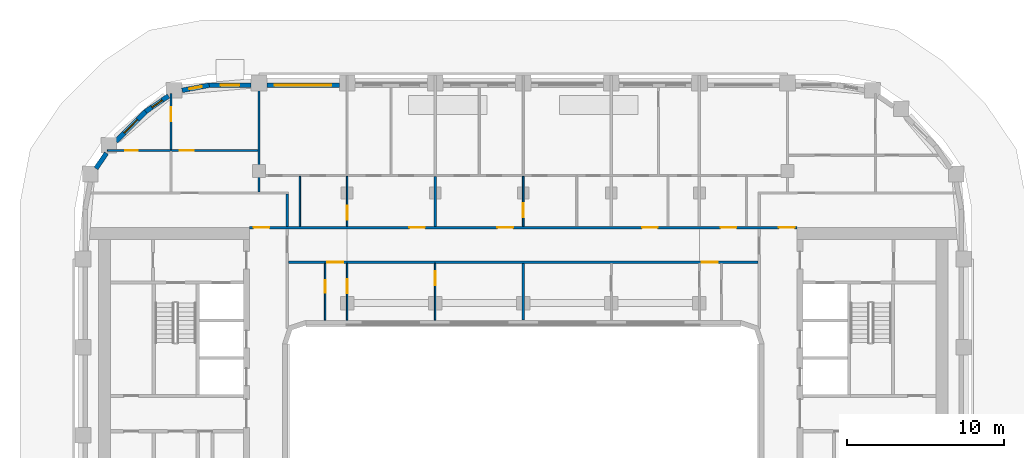
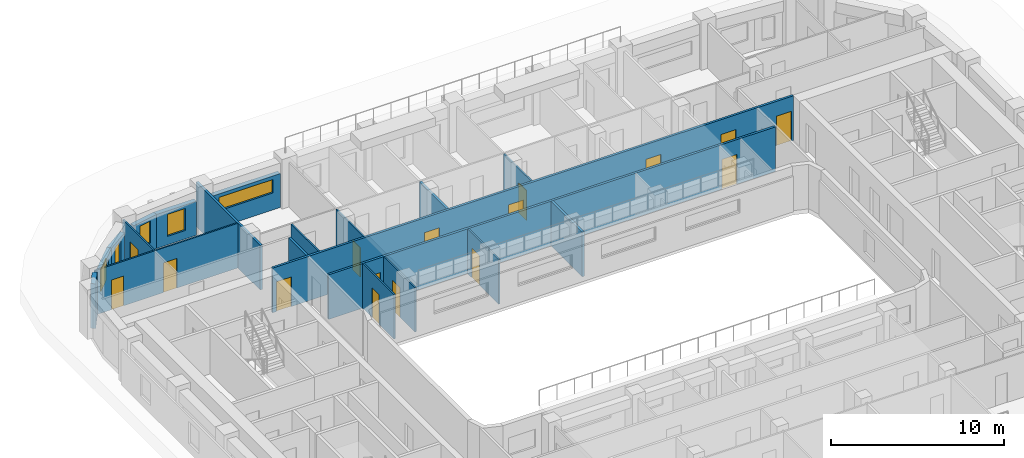
# One storey, part 7 of 17: 20 walls, 16 doors, 5 windows, 21 openings.
"""IFC4 building model written with IfcOpenShell, lengths in metres."""

from ifc_helpers import new_model, si_unit, direction, frame, frame_2d, origin, place, context, subcontext, project, spatial, rectangle, extrude, material, layer, layer_set, type_object, element, fill, save


model = new_model("IFC4")

# Units and contexts
model_context = context("Model", 3, precision=1e-05, world=origin(), true_north=direction((0.0, 1.0)))
body_context = subcontext(model_context, "Body", "Model", "MODEL_VIEW")
ifc_project = project(units=[si_unit("LENGTHUNIT", "METRE"), si_unit("AREAUNIT", "SQUARE_METRE"), si_unit("VOLUMEUNIT", "CUBIC_METRE"), si_unit("PLANEANGLEUNIT", "RADIAN"), si_unit("MASSUNIT", "GRAM", prefix="KILO")], contexts=[model_context])

# Site, building, storey
site_placement = place(None, origin())
site = spatial("IfcSite", under=ifc_project, at=site_placement, CompositionType="ELEMENT")
building_placement = place(site_placement, origin())
building = spatial("IfcBuilding", under=site, at=building_placement, Name="Kiln Ring Residences", CompositionType="ELEMENT")
storey_placement = place(building_placement, frame((0.0, 0.0, 174.60009765625)))
storey = spatial("IfcBuildingStorey", under=building, at=storey_placement, Name="L45", CompositionType="ELEMENT", Elevation=174.60009765625)

# Wall, opening, window
ifc_material_1 = material(Name="Brick masonry, dark clay brick", Category="masonry")
ifc_layer_1 = layer(ifc_material_1, 0.300048828125)
ifc_layer_set_1 = layer_set([ifc_layer_1], Name="EW-300 BRICK WALL")
wall_type_1 = type_object("IfcWallType", Name="EW-300 BRICK WALL", PredefinedType="SOLIDWALL", material=ifc_layer_set_1)
wall_1_placement = place(storey_placement, frame((-11.699951171875, 22.25, 0.0), z_axis=(0.0, 0.0, 1.0), x_axis=(-1.0, 0.0, 0.0)))
wall_1 = element("IfcWall", 1, at=wall_1_placement, inside=storey, type_object=wall_type_1, Name="Facade wall L45 34", PredefinedType="SOLIDWALL", context=body_context, shape_type="SweptSolid", body=[
    extrude(rectangle(XDim=4.60009765625, YDim=0.300048828125, at=frame_2d((2.300048828125, 0.0))), origin(), (0.0, 0.0, 1.0), 2.39990234375),
])
opening_1_placement = place(wall_1_placement, frame((0.5, 0.0, 1.199951171875)))
opening_1 = element("IfcOpeningElement", 2, at=opening_1_placement, cuts=wall_1, Name="Opening W4", PredefinedType="OPENING", context=body_context, shape_type="SweptSolid", body=[
    extrude(rectangle(XDim=3.60009765625, YDim=0.949951171875, at=frame_2d((1.800048828125, 0.47509765625))), frame((0.0, 0.159912109375, 0.0), z_axis=(0.0, -1.0, 0.0), x_axis=(1.0, 0.0, 0.0)), (0.0, 0.0, 1.0), 0.320068359375),
])
ifc_material_2 = material(Name="Aluminium frame with double glazing", Category="aluminium")
window_type_1 = type_object("IfcWindowType", Name="WINDOW 3600 x 950", PartitioningType="SINGLE_PANEL", PredefinedType="WINDOW", material=ifc_material_2)
window_1_placement = place(opening_1_placement, origin())
window_1 = element("IfcWindow", 3, at=window_1_placement, inside=storey, type_object=window_type_1, Name="Window L45 25", OverallHeight=0.949951171875, OverallWidth=3.60009765625, PartitioningType="SINGLE_PANEL", PredefinedType="WINDOW", context=body_context, shape_type="SweptSolid", body=[
    extrude(rectangle(XDim=3.60009765625, YDim=0.949951171875, at=frame_2d((1.800048828125, 0.47509765625))), frame((0.0, 0.030029296875, 0.0), z_axis=(0.0, -1.0, 0.0), x_axis=(1.0, 0.0, 0.0)), (0.0, 0.0, 1.0), 0.06005859375),
])
fill(opening_1, window_1)

wall_2_placement = place(storey_placement, frame((-17.300048828125, 22.25, 0.0), z_axis=(0.0, 0.0, 1.0), x_axis=(-1.0, 0.0, 0.0)))
wall_2 = element("IfcWall", 4, at=wall_2_placement, inside=storey, type_object=wall_type_1, Name="Facade wall L45 35", PredefinedType="SOLIDWALL", context=body_context, shape_type="SweptSolid", body=[
    extrude(rectangle(XDim=2.699951171875, YDim=0.300048828125, at=frame_2d((1.35009765625, 0.0))), origin(), (0.0, 0.0, 1.0), 2.39990234375),
])
opening_2_placement = place(wall_2_placement, frame((0.75, 0.0, 0.60009765625)))
opening_2 = element("IfcOpeningElement", 5, at=opening_2_placement, cuts=wall_2, Name="Opening W1", PredefinedType="OPENING", context=body_context, shape_type="SweptSolid", body=[
    extrude(rectangle(XDim=1.199951171875, YDim=1.550048828125, at=frame_2d((0.60009765625, 0.77490234375))), frame((0.0, 0.159912109375, 0.0), z_axis=(0.0, -1.0, 0.0), x_axis=(1.0, 0.0, 0.0)), (0.0, 0.0, 1.0), 0.320068359375),
])
ifc_material_3 = material(Name="Aluminium frame with double glazing", Category="aluminium")
window_type_2 = type_object("IfcWindowType", Name="WINDOW 1200 x 1550", PartitioningType="SINGLE_PANEL", PredefinedType="WINDOW", material=ifc_material_3)
window_2_placement = place(opening_2_placement, origin())
window_2 = element("IfcWindow", 6, at=window_2_placement, inside=storey, type_object=window_type_2, Name="Window L45 26", OverallHeight=1.550048828125, OverallWidth=1.199951171875, PartitioningType="SINGLE_PANEL", PredefinedType="WINDOW", context=body_context, shape_type="SweptSolid", body=[
    extrude(rectangle(XDim=1.199951171875, YDim=1.550048828125, at=frame_2d((0.60009765625, 0.77490234375))), frame((0.0, 0.030029296875, 0.0), z_axis=(0.0, -1.0, 0.0), x_axis=(1.0, 0.0, 0.0)), (0.0, 0.0, 1.0), 0.06005859375),
])
fill(opening_2, window_2)

wall_3_placement = place(storey_placement, frame((-19.971923828125, 22.252685546875, 0.0), z_axis=(0.0, 0.0, 1.0), x_axis=(-0.982284988433, -0.187393173565, 0.0)))
wall_3 = element("IfcWall", 7, at=wall_3_placement, inside=storey, type_object=wall_type_1, Name="Facade wall L45 36", PredefinedType="SOLIDWALL", context=body_context, shape_type="SweptSolid", body=[
    extrude(rectangle(XDim=1.756103515625, YDim=0.300048828125, at=frame_2d((0.8779296875, 0.0))), origin(), (0.0, 0.0, 1.0), 2.39990234375),
])
opening_3_placement = place(wall_3_placement, frame((0.47802734375, 0.0, 0.60009765625)))
opening_3 = element("IfcOpeningElement", 8, at=opening_3_placement, cuts=wall_3, Name="Opening W5", PredefinedType="OPENING", context=body_context, shape_type="SweptSolid", body=[
    extrude(rectangle(XDim=0.800048828125, YDim=1.550048828125, at=frame_2d((0.39990234375, 0.77490234375))), frame((0.0, 0.159912109375, 0.0), z_axis=(0.0, -1.0, 0.0), x_axis=(1.0, 0.0, 0.0)), (0.0, 0.0, 1.0), 0.320068359375),
])
ifc_material_4 = material(Name="Aluminium frame with double glazing", Category="aluminium")
window_type_3 = type_object("IfcWindowType", Name="WINDOW 800 x 1550", PartitioningType="SINGLE_PANEL", PredefinedType="WINDOW", material=ifc_material_4)
window_3_placement = place(opening_3_placement, origin())
window_3 = element("IfcWindow", 9, at=window_3_placement, inside=storey, type_object=window_type_3, Name="Window L45 27", OverallHeight=1.550048828125, OverallWidth=0.800048828125, PartitioningType="SINGLE_PANEL", PredefinedType="WINDOW", context=body_context, shape_type="SweptSolid", body=[
    extrude(rectangle(XDim=0.800048828125, YDim=1.550048828125, at=frame_2d((0.39990234375, 0.77490234375))), frame((0.0, 0.030029296875, 0.0), z_axis=(0.0, -1.0, 0.0), x_axis=(1.0, 0.0, 0.0)), (0.0, 0.0, 1.0), 0.06005859375),
])
fill(opening_3, window_3)

wall_4_placement = place(storey_placement, frame((-22.560302734375, 21.56591796875, 0.0), z_axis=(0.0, 0.0, 1.0), x_axis=(-0.82707645233, -0.562089443061, 0.0)))
wall_4 = element("IfcWall", 10, at=wall_4_placement, inside=storey, type_object=wall_type_1, Name="Facade wall L45 37", PredefinedType="SOLIDWALL", context=body_context, shape_type="SweptSolid", body=[
    extrude(rectangle(XDim=1.756103515625, YDim=0.300048828125, at=frame_2d((0.8779296875, 0.0))), origin(), (0.0, 0.0, 1.0), 2.39990234375),
])
opening_4_placement = place(wall_4_placement, frame((0.47802734375, 0.0, 0.60009765625)))
opening_4 = element("IfcOpeningElement", 11, at=opening_4_placement, cuts=wall_4, Name="Opening W5", PredefinedType="OPENING", context=body_context, shape_type="SweptSolid", body=[
    extrude(rectangle(XDim=0.800048828125, YDim=1.550048828125, at=frame_2d((0.39990234375, 0.77490234375))), frame((0.0, 0.159912109375, 0.0), z_axis=(0.0, -1.0, 0.0), x_axis=(1.0, 0.0, 0.0)), (0.0, 0.0, 1.0), 0.320068359375),
])
window_4_placement = place(opening_4_placement, origin())
window_4 = element("IfcWindow", 12, at=window_4_placement, inside=storey, type_object=window_type_3, Name="Window L45 28", OverallHeight=1.550048828125, OverallWidth=0.800048828125, PartitioningType="SINGLE_PANEL", PredefinedType="WINDOW", context=body_context, shape_type="SweptSolid", body=[
    extrude(rectangle(XDim=0.800048828125, YDim=1.550048828125, at=frame_2d((0.39990234375, 0.77490234375))), frame((0.0, 0.030029296875, 0.0), z_axis=(0.0, -1.0, 0.0), x_axis=(1.0, 0.0, 0.0)), (0.0, 0.0, 1.0), 0.06005859375),
])
fill(opening_4, window_4)

wall_5_placement = place(storey_placement, frame((-23.990966796875, 20.596923828125, 0.0), z_axis=(0.0, 0.0, 1.0), x_axis=(-0.707106781187, -0.707106781187, 0.0)))
wall_5 = element("IfcWall", 13, at=wall_5_placement, inside=storey, type_object=wall_type_1, Name="Facade wall L45 38", PredefinedType="SOLIDWALL", context=body_context, shape_type="SweptSolid", body=[
    extrude(rectangle(XDim=2.699951171875, YDim=0.300048828125, at=frame_2d((1.35009765625, 0.0))), origin(), (0.0, 0.0, 1.0), 2.39990234375),
])
opening_5_placement = place(wall_5_placement, frame((0.75, 0.0, 0.60009765625)))
opening_5 = element("IfcOpeningElement", 14, at=opening_5_placement, cuts=wall_5, Name="Opening W1", PredefinedType="OPENING", context=body_context, shape_type="SweptSolid", body=[
    extrude(rectangle(XDim=1.199951171875, YDim=1.550048828125, at=frame_2d((0.60009765625, 0.77490234375))), frame((0.0, 0.159912109375, 0.0), z_axis=(0.0, -1.0, 0.0), x_axis=(1.0, 0.0, 0.0)), (0.0, 0.0, 1.0), 0.320068359375),
])
window_5_placement = place(opening_5_placement, origin())
window_5 = element("IfcWindow", 15, at=window_5_placement, inside=storey, type_object=window_type_2, Name="Window L45 29", OverallHeight=1.550048828125, OverallWidth=1.199951171875, PartitioningType="SINGLE_PANEL", PredefinedType="WINDOW", context=body_context, shape_type="SweptSolid", body=[
    extrude(rectangle(XDim=1.199951171875, YDim=1.550048828125, at=frame_2d((0.60009765625, 0.77490234375))), frame((0.0, 0.030029296875, 0.0), z_axis=(0.0, -1.0, 0.0), x_axis=(1.0, 0.0, 0.0)), (0.0, 0.0, 1.0), 0.06005859375),
])
fill(opening_5, window_5)

# Wall
wall_6_placement = place(storey_placement, frame((-26.50439453125, 17.933837890625, 0.0), z_axis=(0.0, 0.0, 1.0), x_axis=(-0.562145470373, -0.827038372833, 0.0)))
element("IfcWall", 16, at=wall_6_placement, inside=storey, type_object=wall_type_1, Name="Facade wall L45 39", PredefinedType="SOLIDWALL", context=body_context, shape_type="SweptSolid", body=[
    extrude(rectangle(XDim=1.177001953125, YDim=0.300048828125, at=frame_2d((0.58837890625, 0.0))), origin(), (0.0, 0.0, 1.0), 3.14990234375),
])

# Wall, openings, doors
ifc_material_5 = material(Name="Gypsum board on steel studs", Category="steel")
ifc_layer_2 = layer(ifc_material_5, 0.10009765625)
ifc_layer_set_2 = layer_set([ifc_layer_2], Name="PARTITION-100")
wall_type_2 = type_object("IfcWallType", Name="PARTITION-100", PredefinedType="PARTITIONING", material=ifc_layer_set_2)
wall_7_placement = place(storey_placement, frame((-26.43994140625, 18.10009765625, 0.0), z_axis=(0.0, 0.0, 1.0), x_axis=(1.0, 0.0, 0.0)))
wall_7 = element("IfcWall", 17, at=wall_7_placement, inside=storey, type_object=wall_type_2, Name="Partition 013", PredefinedType="PARTITIONING", context=body_context, shape_type="SweptSolid", body=[
    extrude(rectangle(XDim=9.56494140625, YDim=0.10009765625, at=frame_2d((4.782470703125, 0.0))), origin(), (0.0, 0.0, 1.0), 3.14990234375),
])
opening_6_placement = place(wall_7_placement, frame((1.1259765625, 0.0, 0.0)))
opening_6 = element("IfcOpeningElement", 18, at=opening_6_placement, cuts=wall_7, Name="Opening L45-D041", PredefinedType="OPENING", context=body_context, shape_type="SweptSolid", body=[
    extrude(rectangle(XDim=0.800048828125, YDim=2.10009765625, at=frame_2d((0.39990234375, 1.050048828125))), frame((0.0, 0.06005859375, 0.0), z_axis=(0.0, -1.0, 0.0), x_axis=(1.0, 0.0, 0.0)), (0.0, 0.0, 1.0), 0.1201171875),
])
opening_7_placement = place(wall_7_placement, frame((4.590087890625, 0.0, 0.0)))
opening_7 = element("IfcOpeningElement", 19, at=opening_7_placement, cuts=wall_7, Name="Opening L45-D042", PredefinedType="OPENING", context=body_context, shape_type="SweptSolid", body=[
    extrude(rectangle(XDim=0.89990234375, YDim=2.10009765625, at=frame_2d((0.449951171875, 1.050048828125))), frame((0.0, 0.06005859375, 0.0), z_axis=(0.0, -1.0, 0.0), x_axis=(1.0, 0.0, 0.0)), (0.0, 0.0, 1.0), 0.1201171875),
])
ifc_material_6 = material(Name="Timber door leaf", Category="wood")
door_type_1 = type_object("IfcDoorType", Name="FLAT-DOOR-800-PL", OperationType="SINGLE_SWING_LEFT", PredefinedType="DOOR", material=ifc_material_6)
door_1_placement = place(opening_6_placement, origin())
door_1 = element("IfcDoor", 20, at=door_1_placement, inside=storey, type_object=door_type_1, Name="Door L45-D041", OperationType="SINGLE_SWING_LEFT", OverallHeight=2.10009765625, OverallWidth=0.800048828125, PredefinedType="DOOR", context=body_context, shape_type="SweptSolid", body=[
    extrude(rectangle(XDim=0.800048828125, YDim=2.10009765625, at=frame_2d((0.39990234375, 1.050048828125))), frame((0.0, 0.02490234375, 0.0), z_axis=(0.0, -1.0, 0.0), x_axis=(1.0, 0.0, 0.0)), (0.0, 0.0, 1.0), 0.050048828125),
])
fill(opening_6, door_1)
ifc_material_7 = material(Name="Timber door leaf", Category="wood")
door_type_2 = type_object("IfcDoorType", Name="FLAT-DOOR-900-PL", OperationType="SINGLE_SWING_LEFT", PredefinedType="DOOR", material=ifc_material_7)
door_2_placement = place(opening_7_placement, origin())
door_2 = element("IfcDoor", 21, at=door_2_placement, inside=storey, type_object=door_type_2, Name="Door L45-D042", OperationType="SINGLE_SWING_RIGHT", OverallHeight=2.10009765625, OverallWidth=0.89990234375, PredefinedType="DOOR", context=body_context, shape_type="SweptSolid", body=[
    extrude(rectangle(XDim=0.89990234375, YDim=2.10009765625, at=frame_2d((0.449951171875, 1.050048828125))), frame((0.0, 0.02490234375, 0.0), z_axis=(0.0, -1.0, 0.0), x_axis=(1.0, 0.0, 0.0)), (0.0, 0.0, 1.0), 0.050048828125),
])
fill(opening_7, door_2)

# Wall, opening, door
wall_8_placement = place(storey_placement, frame((-22.39990234375, 18.14990234375, 0.0), z_axis=(0.0, 0.0, 1.0), x_axis=(0.0, 1.0, 0.0)))
wall_8 = element("IfcWall", 22, at=wall_8_placement, inside=storey, type_object=wall_type_2, Name="Partition 017", PredefinedType="PARTITIONING", context=body_context, shape_type="SweptSolid", body=[
    extrude(rectangle(XDim=3.570068359375, YDim=0.10009765625, at=frame_2d((1.78515625, 0.0))), origin(), (0.0, 0.0, 1.0), 3.14990234375),
])
opening_8_placement = place(wall_8_placement, frame((1.798095703125, 0.0, 0.0)))
opening_8 = element("IfcOpeningElement", 23, at=opening_8_placement, cuts=wall_8, Name="Opening L45-D043", PredefinedType="OPENING", context=body_context, shape_type="SweptSolid", body=[
    extrude(rectangle(XDim=0.89990234375, YDim=2.10009765625, at=frame_2d((0.449951171875, 1.050048828125))), frame((0.0, 0.06005859375, 0.0), z_axis=(0.0, -1.0, 0.0), x_axis=(1.0, 0.0, 0.0)), (0.0, 0.0, 1.0), 0.1201171875),
])
door_3_placement = place(opening_8_placement, origin())
door_3 = element("IfcDoor", 24, at=door_3_placement, inside=storey, type_object=door_type_2, Name="Door L45-D043", OperationType="SINGLE_SWING_LEFT", OverallHeight=2.10009765625, OverallWidth=0.89990234375, PredefinedType="DOOR", context=body_context, shape_type="SweptSolid", body=[
    extrude(rectangle(XDim=0.89990234375, YDim=2.10009765625, at=frame_2d((0.449951171875, 1.050048828125))), frame((0.0, 0.02490234375, 0.0), z_axis=(0.0, -1.0, 0.0), x_axis=(1.0, 0.0, 0.0)), (0.0, 0.0, 1.0), 0.050048828125),
])
fill(opening_8, door_3)

# Wall
wall_9_placement = place(storey_placement, frame((-14.199951171875, 13.27490234375, 0.0), z_axis=(0.0, 0.0, 1.0), x_axis=(0.0, 1.0, 0.0)))
element("IfcWall", 25, at=wall_9_placement, inside=storey, type_object=wall_type_2, Name="Partition 024", PredefinedType="PARTITIONING", context=body_context, shape_type="SweptSolid", body=[
    extrude(rectangle(XDim=3.175048828125, YDim=0.10009765625, at=frame_2d((1.58740234375, 0.0))), origin(), (0.0, 0.0, 1.0), 3.14990234375),
])

# Wall, opening, door
wall_10_placement = place(storey_placement, frame((-12.60009765625, 7.320068359375, 0.0), z_axis=(0.0, 0.0, 1.0), x_axis=(0.0, 1.0, 0.0)))
wall_10 = element("IfcWall", 26, at=wall_10_placement, inside=storey, type_object=wall_type_2, Name="Partition 025", PredefinedType="PARTITIONING", context=body_context, shape_type="SweptSolid", body=[
    extrude(rectangle(XDim=3.60498046875, YDim=0.10009765625, at=frame_2d((1.802490234375, 0.0))), origin(), (0.0, 0.0, 1.0), 3.14990234375),
])
opening_9_placement = place(wall_10_placement, frame((1.72900390625, 0.0, 0.0)))
opening_9 = element("IfcOpeningElement", 27, at=opening_9_placement, cuts=wall_10, Name="Opening L45-D010", PredefinedType="OPENING", context=body_context, shape_type="SweptSolid", body=[
    extrude(rectangle(XDim=0.800048828125, YDim=2.10009765625, at=frame_2d((0.39990234375, 1.050048828125))), frame((0.0, 0.06005859375, 0.0), z_axis=(0.0, -1.0, 0.0), x_axis=(1.0, 0.0, 0.0)), (0.0, 0.0, 1.0), 0.1201171875),
])
door_4_placement = place(opening_9_placement, origin())
door_4 = element("IfcDoor", 28, at=door_4_placement, inside=storey, type_object=door_type_1, Name="Door L45-D010", OperationType="SINGLE_SWING_LEFT", OverallHeight=2.10009765625, OverallWidth=0.800048828125, PredefinedType="DOOR", context=body_context, shape_type="SweptSolid", body=[
    extrude(rectangle(XDim=0.800048828125, YDim=2.10009765625, at=frame_2d((0.39990234375, 1.050048828125))), frame((0.0, 0.02490234375, 0.0), z_axis=(0.0, -1.0, 0.0), x_axis=(1.0, 0.0, 0.0)), (0.0, 0.0, 1.0), 0.050048828125),
])
fill(opening_9, door_4)

wall_11_placement = place(storey_placement, frame((-11.199951171875, 7.320068359375, 0.0), z_axis=(0.0, 0.0, 1.0), x_axis=(0.0, 1.0, 0.0)))
wall_11 = element("IfcWall", 29, at=wall_11_placement, inside=storey, type_object=wall_type_2, Name="Partition 029", PredefinedType="PARTITIONING", context=body_context, shape_type="SweptSolid", body=[
    extrude(rectangle(XDim=3.60498046875, YDim=0.10009765625, at=frame_2d((1.802490234375, 0.0))), origin(), (0.0, 0.0, 1.0), 3.14990234375),
])
opening_10_placement = place(wall_11_placement, frame((1.699951171875, 0.0, 0.0)))
opening_10 = element("IfcOpeningElement", 30, at=opening_10_placement, cuts=wall_11, Name="Opening L45-D011", PredefinedType="OPENING", context=body_context, shape_type="SweptSolid", body=[
    extrude(rectangle(XDim=0.89990234375, YDim=2.10009765625, at=frame_2d((0.449951171875, 1.050048828125))), frame((0.0, 0.06005859375, 0.0), z_axis=(0.0, -1.0, 0.0), x_axis=(1.0, 0.0, 0.0)), (0.0, 0.0, 1.0), 0.1201171875),
])
door_5_placement = place(opening_10_placement, origin())
door_5 = element("IfcDoor", 31, at=door_5_placement, inside=storey, type_object=door_type_2, Name="Door L45-D011", OperationType="SINGLE_SWING_RIGHT", OverallHeight=2.10009765625, OverallWidth=0.89990234375, PredefinedType="DOOR", context=body_context, shape_type="SweptSolid", body=[
    extrude(rectangle(XDim=0.89990234375, YDim=2.10009765625, at=frame_2d((0.449951171875, 1.050048828125))), frame((0.0, 0.02490234375, 0.0), z_axis=(0.0, -1.0, 0.0), x_axis=(1.0, 0.0, 0.0)), (0.0, 0.0, 1.0), 0.050048828125),
])
fill(opening_10, door_5)

wall_12_placement = place(storey_placement, frame((-11.199951171875, 13.27490234375, 0.0), z_axis=(0.0, 0.0, 1.0), x_axis=(0.0, 1.0, 0.0)))
wall_12 = element("IfcWall", 32, at=wall_12_placement, inside=storey, type_object=wall_type_2, Name="Partition 030", PredefinedType="PARTITIONING", context=body_context, shape_type="SweptSolid", body=[
    extrude(rectangle(XDim=3.175048828125, YDim=0.10009765625, at=frame_2d((1.58740234375, 0.0))), origin(), (0.0, 0.0, 1.0), 3.14990234375),
])
opening_11_placement = place(wall_12_placement, frame((0.425048828125, 0.0, 0.0)))
opening_11 = element("IfcOpeningElement", 33, at=opening_11_placement, cuts=wall_12, Name="Opening L45-D018", PredefinedType="OPENING", context=body_context, shape_type="SweptSolid", body=[
    extrude(rectangle(XDim=0.89990234375, YDim=2.10009765625, at=frame_2d((0.449951171875, 1.050048828125))), frame((0.0, 0.06005859375, 0.0), z_axis=(0.0, -1.0, 0.0), x_axis=(1.0, 0.0, 0.0)), (0.0, 0.0, 1.0), 0.1201171875),
])
door_6_placement = place(opening_11_placement, origin())
door_6 = element("IfcDoor", 34, at=door_6_placement, inside=storey, type_object=door_type_2, Name="Door L45-D018", OperationType="SINGLE_SWING_RIGHT", OverallHeight=2.10009765625, OverallWidth=0.89990234375, PredefinedType="DOOR", context=body_context, shape_type="SweptSolid", body=[
    extrude(rectangle(XDim=0.89990234375, YDim=2.10009765625, at=frame_2d((0.449951171875, 1.050048828125))), frame((0.0, 0.02490234375, 0.0), z_axis=(0.0, -1.0, 0.0), x_axis=(1.0, 0.0, 0.0)), (0.0, 0.0, 1.0), 0.050048828125),
])
fill(opening_11, door_6)

wall_13_placement = place(storey_placement, frame((-5.60009765625, 7.320068359375, 0.0), z_axis=(0.0, 0.0, 1.0), x_axis=(0.0, 1.0, 0.0)))
wall_13 = element("IfcWall", 35, at=wall_13_placement, inside=storey, type_object=wall_type_2, Name="Partition 034", PredefinedType="PARTITIONING", context=body_context, shape_type="SweptSolid", body=[
    extrude(rectangle(XDim=3.60498046875, YDim=0.10009765625, at=frame_2d((1.802490234375, 0.0))), origin(), (0.0, 0.0, 1.0), 3.14990234375),
])
opening_12_placement = place(wall_13_placement, frame((2.199951171875, 0.0, 0.0)))
opening_12 = element("IfcOpeningElement", 36, at=opening_12_placement, cuts=wall_13, Name="Opening L45-D012", PredefinedType="OPENING", context=body_context, shape_type="SweptSolid", body=[
    extrude(rectangle(XDim=0.89990234375, YDim=2.10009765625, at=frame_2d((0.449951171875, 1.050048828125))), frame((0.0, 0.06005859375, 0.0), z_axis=(0.0, -1.0, 0.0), x_axis=(1.0, 0.0, 0.0)), (0.0, 0.0, 1.0), 0.1201171875),
])
door_7_placement = place(opening_12_placement, origin())
door_7 = element("IfcDoor", 37, at=door_7_placement, inside=storey, type_object=door_type_2, Name="Door L45-D012", OperationType="SINGLE_SWING_RIGHT", OverallHeight=2.10009765625, OverallWidth=0.89990234375, PredefinedType="DOOR", context=body_context, shape_type="SweptSolid", body=[
    extrude(rectangle(XDim=0.89990234375, YDim=2.10009765625, at=frame_2d((0.449951171875, 1.050048828125))), frame((0.0, 0.02490234375, 0.0), z_axis=(0.0, -1.0, 0.0), x_axis=(1.0, 0.0, 0.0)), (0.0, 0.0, 1.0), 0.050048828125),
])
fill(opening_12, door_7)

wall_14_placement = place(storey_placement, frame((0.0, 13.27490234375, 0.0), z_axis=(0.0, 0.0, 1.0), x_axis=(0.0, 1.0, 0.0)))
wall_14 = element("IfcWall", 38, at=wall_14_placement, inside=storey, type_object=wall_type_2, Name="Partition 043", PredefinedType="PARTITIONING", context=body_context, shape_type="SweptSolid", body=[
    extrude(rectangle(XDim=3.175048828125, YDim=0.10009765625, at=frame_2d((1.58740234375, 0.0))), origin(), (0.0, 0.0, 1.0), 3.14990234375),
])
opening_13_placement = place(wall_14_placement, frame((0.575927734375, 0.0, 0.0)))
opening_13 = element("IfcOpeningElement", 39, at=opening_13_placement, cuts=wall_14, Name="Opening L45-D024", PredefinedType="OPENING", context=body_context, shape_type="SweptSolid", body=[
    extrude(rectangle(XDim=0.89990234375, YDim=2.10009765625, at=frame_2d((0.449951171875, 1.050048828125))), frame((0.0, 0.06005859375, 0.0), z_axis=(0.0, -1.0, 0.0), x_axis=(1.0, 0.0, 0.0)), (0.0, 0.0, 1.0), 0.1201171875),
])
door_8_placement = place(opening_13_placement, origin())
door_8 = element("IfcDoor", 40, at=door_8_placement, inside=storey, type_object=door_type_2, Name="Door L45-D024", OperationType="SINGLE_SWING_LEFT", OverallHeight=2.10009765625, OverallWidth=0.89990234375, PredefinedType="DOOR", context=body_context, shape_type="SweptSolid", body=[
    extrude(rectangle(XDim=0.89990234375, YDim=2.10009765625, at=frame_2d((0.449951171875, 1.050048828125))), frame((0.0, 0.02490234375, 0.0), z_axis=(0.0, -1.0, 0.0), x_axis=(1.0, 0.0, 0.0)), (0.0, 0.0, 1.0), 0.050048828125),
])
fill(opening_13, door_8)

# Wall, openings, doors
ifc_material_8 = material(Name="Brick masonry partition", Category="masonry")
ifc_layer_3 = layer(ifc_material_8, 0.14990234375)
ifc_layer_set_3 = layer_set([ifc_layer_3], Name="PARTITION-150-ei60")
wall_type_3 = type_object("IfcWallType", Name="PARTITION-150-ei60", PredefinedType="PARTITIONING", material=ifc_layer_set_3)
wall_15_placement = place(storey_placement, frame((-14.925048828125, 11.0, 0.0), z_axis=(0.0, 0.0, 1.0), x_axis=(1.0, 0.0, 0.0)))
wall_15 = element("IfcWall", 41, at=wall_15_placement, inside=storey, type_object=wall_type_3, Name="Partition 007", PredefinedType="PARTITIONING", context=body_context, shape_type="SweptSolid", body=[
    extrude(rectangle(XDim=29.85009765625, YDim=0.14990234375, at=frame_2d((14.925048828125, 0.0))), origin(), (0.0, 0.0, 1.0), 3.14990234375),
])
opening_14_placement = place(wall_15_placement, frame((2.47509765625, 0.0, 0.0)))
opening_14 = element("IfcOpeningElement", 42, at=opening_14_placement, cuts=wall_15, Name="Opening L45-D009", PredefinedType="OPENING", context=body_context, shape_type="SweptSolid", body=[
    extrude(rectangle(XDim=1.0, YDim=2.10009765625, at=frame_2d((0.5, 1.050048828125))), frame((0.0, 0.0849609375, 0.0), z_axis=(0.0, -1.0, 0.0), x_axis=(1.0, 0.0, 0.0)), (0.0, 0.0, 1.0), 0.169921875),
])
opening_15_placement = place(wall_15_placement, frame((26.27490234375, 0.0, 0.0)))
opening_15 = element("IfcOpeningElement", 43, at=opening_15_placement, cuts=wall_15, Name="Opening L45-D013", PredefinedType="OPENING", context=body_context, shape_type="SweptSolid", body=[
    extrude(rectangle(XDim=1.0, YDim=2.10009765625, at=frame_2d((0.5, 1.050048828125))), frame((0.0, 0.0849609375, 0.0), z_axis=(0.0, -1.0, 0.0), x_axis=(1.0, 0.0, 0.0)), (0.0, 0.0, 1.0), 0.169921875),
])
ifc_material_9 = material(Name="Steel faced fire door leaf", Category="steel")
door_type_3 = type_object("IfcDoorType", Name="FLAT-DOOR-1000-FR", OperationType="SINGLE_SWING_LEFT", PredefinedType="DOOR", material=ifc_material_9)
door_9_placement = place(opening_14_placement, origin())
door_9 = element("IfcDoor", 44, at=door_9_placement, inside=storey, type_object=door_type_3, Name="Door L45-D009", OperationType="SINGLE_SWING_LEFT", OverallHeight=2.10009765625, OverallWidth=1.0, PredefinedType="DOOR", context=body_context, shape_type="SweptSolid", body=[
    extrude(rectangle(XDim=1.0, YDim=2.10009765625, at=frame_2d((0.5, 1.050048828125))), frame((0.0, 0.02490234375, 0.0), z_axis=(0.0, -1.0, 0.0), x_axis=(1.0, 0.0, 0.0)), (0.0, 0.0, 1.0), 0.050048828125),
])
fill(opening_14, door_9)
door_10_placement = place(opening_15_placement, origin())
door_10 = element("IfcDoor", 45, at=door_10_placement, inside=storey, type_object=door_type_3, Name="Door L45-D013", OperationType="SINGLE_SWING_LEFT", OverallHeight=2.10009765625, OverallWidth=1.0, PredefinedType="DOOR", context=body_context, shape_type="SweptSolid", body=[
    extrude(rectangle(XDim=1.0, YDim=2.10009765625, at=frame_2d((0.5, 1.050048828125))), frame((0.0, 0.02490234375, 0.0), z_axis=(0.0, -1.0, 0.0), x_axis=(1.0, 0.0, 0.0)), (0.0, 0.0, 1.0), 0.050048828125),
])
fill(opening_15, door_10)

wall_16_placement = place(storey_placement, frame((-17.39990234375, 13.199951171875, 0.0), z_axis=(0.0, 0.0, 1.0), x_axis=(1.0, 0.0, 0.0)))
wall_16 = element("IfcWall", 46, at=wall_16_placement, inside=storey, type_object=wall_type_3, Name="Partition 008", PredefinedType="PARTITIONING", context=body_context, shape_type="SweptSolid", body=[
    extrude(rectangle(XDim=34.7998046875, YDim=0.14990234375, at=frame_2d((17.39990234375, 0.0))), origin(), (0.0, 0.0, 1.0), 3.14990234375),
])
opening_16_placement = place(wall_16_placement, frame((0.25, 0.0, 0.0)))
opening_16 = element("IfcOpeningElement", 47, at=opening_16_placement, cuts=wall_16, Name="Opening L45-D003", PredefinedType="OPENING", context=body_context, shape_type="SweptSolid", body=[
    extrude(rectangle(XDim=1.0, YDim=2.10009765625, at=frame_2d((0.5, 1.050048828125))), frame((0.0, 0.0849609375, 0.0), z_axis=(0.0, -1.0, 0.0), x_axis=(1.0, 0.0, 0.0)), (0.0, 0.0, 1.0), 0.169921875),
])
opening_17_placement = place(wall_16_placement, frame((33.64990234375, 0.0, 0.0)))
opening_17 = element("IfcOpeningElement", 48, at=opening_17_placement, cuts=wall_16, Name="Opening L45-D004", PredefinedType="OPENING", context=body_context, shape_type="SweptSolid", body=[
    extrude(rectangle(XDim=1.0, YDim=2.10009765625, at=frame_2d((0.5, 1.050048828125))), frame((0.0, 0.0849609375, 0.0), z_axis=(0.0, -1.0, 0.0), x_axis=(1.0, 0.0, 0.0)), (0.0, 0.0, 1.0), 0.169921875),
])
opening_18_placement = place(wall_16_placement, frame((10.14990234375, 0.0, 0.0)))
opening_18 = element("IfcOpeningElement", 49, at=opening_18_placement, cuts=wall_16, Name="Opening L45-D017", PredefinedType="OPENING", context=body_context, shape_type="SweptSolid", body=[
    extrude(rectangle(XDim=1.0, YDim=2.10009765625, at=frame_2d((0.5, 1.050048828125))), frame((0.0, 0.0849609375, 0.0), z_axis=(0.0, -1.0, 0.0), x_axis=(1.0, 0.0, 0.0)), (0.0, 0.0, 1.0), 0.169921875),
])
opening_19_placement = place(wall_16_placement, frame((15.75, 0.0, 0.0)))
opening_19 = element("IfcOpeningElement", 50, at=opening_19_placement, cuts=wall_16, Name="Opening L45-D023", PredefinedType="OPENING", context=body_context, shape_type="SweptSolid", body=[
    extrude(rectangle(XDim=1.0, YDim=2.10009765625, at=frame_2d((0.5, 1.050048828125))), frame((0.0, 0.0849609375, 0.0), z_axis=(0.0, -1.0, 0.0), x_axis=(1.0, 0.0, 0.0)), (0.0, 0.0, 1.0), 0.169921875),
])
opening_20_placement = place(wall_16_placement, frame((24.949951171875, 0.0, 0.0)))
opening_20 = element("IfcOpeningElement", 51, at=opening_20_placement, cuts=wall_16, Name="Opening L45-D029", PredefinedType="OPENING", context=body_context, shape_type="SweptSolid", body=[
    extrude(rectangle(XDim=1.0, YDim=2.10009765625, at=frame_2d((0.5, 1.050048828125))), frame((0.0, 0.0849609375, 0.0), z_axis=(0.0, -1.0, 0.0), x_axis=(1.0, 0.0, 0.0)), (0.0, 0.0, 1.0), 0.169921875),
])
opening_21_placement = place(wall_16_placement, frame((29.949951171875, 0.0, 0.0)))
opening_21 = element("IfcOpeningElement", 52, at=opening_21_placement, cuts=wall_16, Name="Opening L45-D033", PredefinedType="OPENING", context=body_context, shape_type="SweptSolid", body=[
    extrude(rectangle(XDim=1.0, YDim=2.10009765625, at=frame_2d((0.5, 1.050048828125))), frame((0.0, 0.0849609375, 0.0), z_axis=(0.0, -1.0, 0.0), x_axis=(1.0, 0.0, 0.0)), (0.0, 0.0, 1.0), 0.169921875),
])
door_11_placement = place(opening_16_placement, origin())
door_11 = element("IfcDoor", 53, at=door_11_placement, inside=storey, type_object=door_type_3, Name="Door L45-D003", OperationType="SINGLE_SWING_LEFT", OverallHeight=2.10009765625, OverallWidth=1.0, PredefinedType="DOOR", context=body_context, shape_type="SweptSolid", body=[
    extrude(rectangle(XDim=1.0, YDim=2.10009765625, at=frame_2d((0.5, 1.050048828125))), frame((0.0, 0.02490234375, 0.0), z_axis=(0.0, -1.0, 0.0), x_axis=(1.0, 0.0, 0.0)), (0.0, 0.0, 1.0), 0.050048828125),
])
fill(opening_16, door_11)
door_12_placement = place(opening_17_placement, origin())
door_12 = element("IfcDoor", 54, at=door_12_placement, inside=storey, type_object=door_type_3, Name="Door L45-D004", OperationType="SINGLE_SWING_RIGHT", OverallHeight=2.10009765625, OverallWidth=1.0, PredefinedType="DOOR", context=body_context, shape_type="SweptSolid", body=[
    extrude(rectangle(XDim=1.0, YDim=2.10009765625, at=frame_2d((0.5, 1.050048828125))), frame((0.0, 0.02490234375, 0.0), z_axis=(0.0, -1.0, 0.0), x_axis=(1.0, 0.0, 0.0)), (0.0, 0.0, 1.0), 0.050048828125),
])
fill(opening_17, door_12)
door_13_placement = place(opening_18_placement, origin())
door_13 = element("IfcDoor", 55, at=door_13_placement, inside=storey, type_object=door_type_3, Name="Door L45-D017", OperationType="SINGLE_SWING_LEFT", OverallHeight=2.10009765625, OverallWidth=1.0, PredefinedType="DOOR", context=body_context, shape_type="SweptSolid", body=[
    extrude(rectangle(XDim=1.0, YDim=2.10009765625, at=frame_2d((0.5, 1.050048828125))), frame((0.0, 0.02490234375, 0.0), z_axis=(0.0, -1.0, 0.0), x_axis=(1.0, 0.0, 0.0)), (0.0, 0.0, 1.0), 0.050048828125),
])
fill(opening_18, door_13)
door_14_placement = place(opening_19_placement, origin())
door_14 = element("IfcDoor", 56, at=door_14_placement, inside=storey, type_object=door_type_3, Name="Door L45-D023", OperationType="SINGLE_SWING_LEFT", OverallHeight=2.10009765625, OverallWidth=1.0, PredefinedType="DOOR", context=body_context, shape_type="SweptSolid", body=[
    extrude(rectangle(XDim=1.0, YDim=2.10009765625, at=frame_2d((0.5, 1.050048828125))), frame((0.0, 0.02490234375, 0.0), z_axis=(0.0, -1.0, 0.0), x_axis=(1.0, 0.0, 0.0)), (0.0, 0.0, 1.0), 0.050048828125),
])
fill(opening_19, door_14)
door_15_placement = place(opening_20_placement, origin())
door_15 = element("IfcDoor", 57, at=door_15_placement, inside=storey, type_object=door_type_3, Name="Door L45-D029", OperationType="SINGLE_SWING_LEFT", OverallHeight=2.10009765625, OverallWidth=1.0, PredefinedType="DOOR", context=body_context, shape_type="SweptSolid", body=[
    extrude(rectangle(XDim=1.0, YDim=2.10009765625, at=frame_2d((0.5, 1.050048828125))), frame((0.0, 0.02490234375, 0.0), z_axis=(0.0, -1.0, 0.0), x_axis=(1.0, 0.0, 0.0)), (0.0, 0.0, 1.0), 0.050048828125),
])
fill(opening_20, door_15)
door_16_placement = place(opening_21_placement, origin())
door_16 = element("IfcDoor", 58, at=door_16_placement, inside=storey, type_object=door_type_3, Name="Door L45-D033", OperationType="SINGLE_SWING_LEFT", OverallHeight=2.10009765625, OverallWidth=1.0, PredefinedType="DOOR", context=body_context, shape_type="SweptSolid", body=[
    extrude(rectangle(XDim=1.0, YDim=2.10009765625, at=frame_2d((0.5, 1.050048828125))), frame((0.0, 0.02490234375, 0.0), z_axis=(0.0, -1.0, 0.0), x_axis=(1.0, 0.0, 0.0)), (0.0, 0.0, 1.0), 0.050048828125),
])
fill(opening_21, door_16)

# Walls
wall_17_placement = place(storey_placement, frame((-16.800048828125, 15.47509765625, 0.0), z_axis=(0.0, 0.0, 1.0), x_axis=(0.0, 1.0, 0.0)))
element("IfcWall", 59, at=wall_17_placement, inside=storey, type_object=wall_type_3, Name="Partition 019", PredefinedType="PARTITIONING", context=body_context, shape_type="SweptSolid", body=[
    extrude(rectangle(XDim=7.40478515625, YDim=0.14990234375, at=frame_2d((3.702392578125, 0.0))), origin(), (0.0, 0.0, 1.0), 3.14990234375),
])
wall_18_placement = place(storey_placement, frame((-15.0, 13.27490234375, 0.0), z_axis=(0.0, 0.0, 1.0), x_axis=(0.0, 1.0, 0.0)))
element("IfcWall", 60, at=wall_18_placement, inside=storey, type_object=wall_type_3, Name="Partition 023", PredefinedType="PARTITIONING", context=body_context, shape_type="SweptSolid", body=[
    extrude(rectangle(XDim=2.050048828125, YDim=0.14990234375, at=frame_2d((1.02490234375, 0.0))), origin(), (0.0, 0.0, 1.0), 3.14990234375),
])
wall_19_placement = place(storey_placement, frame((-5.60009765625, 13.27490234375, 0.0), z_axis=(0.0, 0.0, 1.0), x_axis=(0.0, 1.0, 0.0)))
element("IfcWall", 61, at=wall_19_placement, inside=storey, type_object=wall_type_3, Name="Partition 037", PredefinedType="PARTITIONING", context=body_context, shape_type="SweptSolid", body=[
    extrude(rectangle(XDim=3.175048828125, YDim=0.14990234375, at=frame_2d((1.58740234375, 0.0))), origin(), (0.0, 0.0, 1.0), 3.14990234375),
])
wall_20_placement = place(storey_placement, frame((0.0, 7.320068359375, 0.0), z_axis=(0.0, 0.0, 1.0), x_axis=(0.0, 1.0, 0.0)))
element("IfcWall", 62, at=wall_20_placement, inside=storey, type_object=wall_type_3, Name="Partition 046", PredefinedType="PARTITIONING", context=body_context, shape_type="SweptSolid", body=[
    extrude(rectangle(XDim=3.60498046875, YDim=0.14990234375, at=frame_2d((1.802490234375, 0.0))), origin(), (0.0, 0.0, 1.0), 3.14990234375),
])

save(model, "model.ifc")
